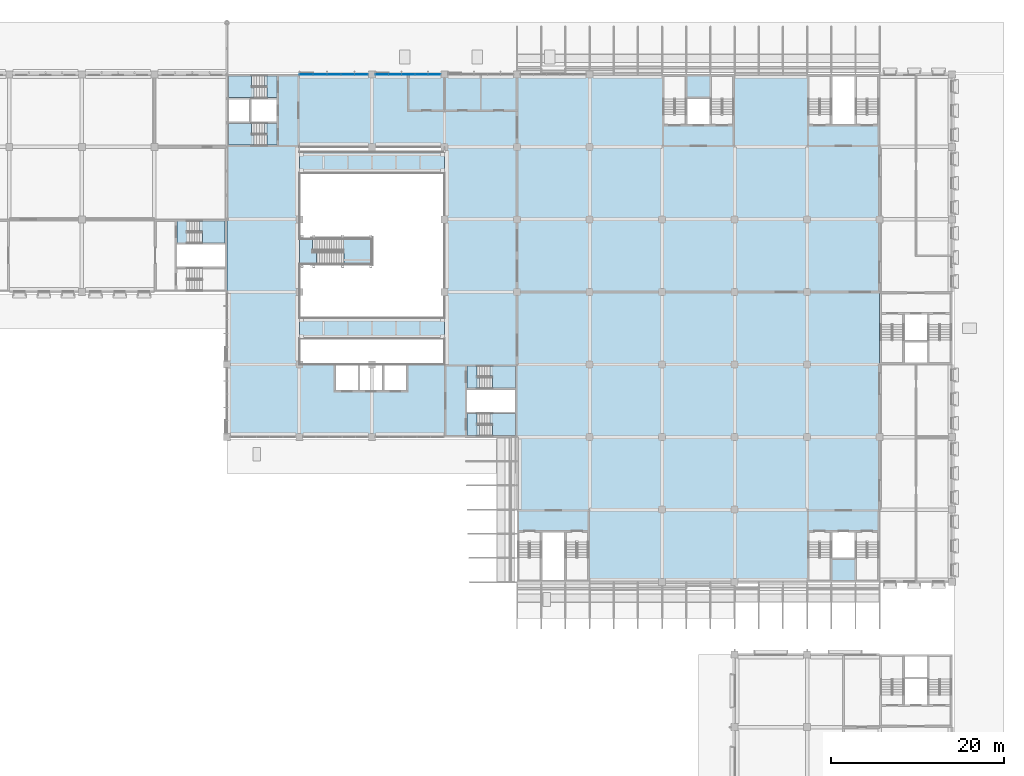
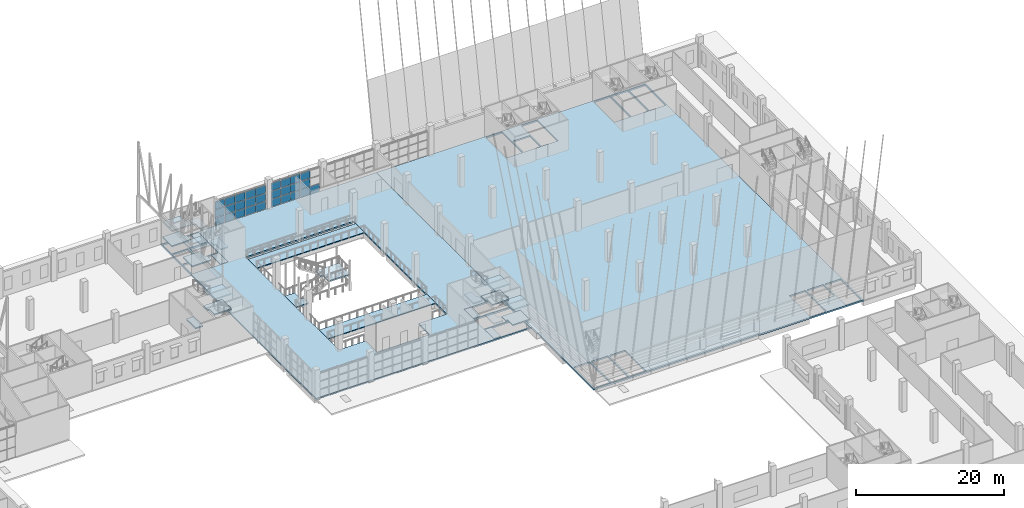
# One storey, part 23 of 101: 28 plates, 25 slabs, 8 elements without a shape of their own.
"""IFC4 building model written with IfcOpenShell, lengths in metres."""

from ifc_helpers import new_model, si_unit, direction, frame, origin, origin_2d, place, context, subcontext, project, spatial, polyline, rectangle, outline, extrude, material, layer, layer_set, type_object, element, aggregate, save


model = new_model("IFC4")

# Units and contexts
model_context = context("Model", 3, precision=1e-05, world=origin(), true_north=direction((0.0, 1.0)))
body_context = subcontext(model_context, "Body", "Model", "MODEL_VIEW")
ifc_project = project(units=[si_unit("LENGTHUNIT", "METRE"), si_unit("AREAUNIT", "SQUARE_METRE"), si_unit("VOLUMEUNIT", "CUBIC_METRE"), si_unit("PLANEANGLEUNIT", "RADIAN"), si_unit("MASSUNIT", "GRAM", prefix="KILO")], contexts=[model_context])

# Site, building, storey
site_placement = place(None, origin())
site = spatial("IfcSite", under=ifc_project, at=site_placement, CompositionType="ELEMENT")
building_placement = place(site_placement, origin())
building = spatial("IfcBuilding", under=site, at=building_placement, Name="Almond Square Museum", CompositionType="ELEMENT")
storey_placement = place(building_placement, frame((0.0, 0.0, 5.5)))
storey = spatial("IfcBuildingStorey", under=building, at=storey_placement, Name="L01", CompositionType="ELEMENT", Elevation=5.5)

# Slabs
ifc_material_1 = material(Name="Concrete C35/45", Category="concrete")
ifc_layer_1 = layer(ifc_material_1, 0.14990234375)
ifc_layer_set_1 = layer_set([ifc_layer_1], Name="Concrete C35/45")
slab_type_1 = type_object("IfcSlabType", Name="Bridge deck slab 150", PredefinedType="FLOOR", material=ifc_layer_set_1)
slab_1_placement = place(storey_placement, frame((0.0, 0.0, -0.14990234375)))
element("IfcSlab", 1, at=slab_1_placement, inside=storey, type_object=slab_type_1, Name="Bridge 1 deck", PredefinedType="FLOOR", context=body_context, shape_type="SweptSolid", body=[
    extrude(outline(polyline([(81.60009765625, 78.60009765625), (98.39990234375, 78.60009765625), (98.39990234375, 81.0), (81.60009765625, 81.0), (81.60009765625, 78.60009765625)])), origin(), (0.0, 0.0, 1.0), 0.14990234375),
])
slab_2_placement = place(storey_placement, frame((0.0, 0.0, -0.14990234375)))
element("IfcSlab", 2, at=slab_2_placement, inside=storey, type_object=slab_type_1, Name="Bridge 2 deck", PredefinedType="FLOOR", context=body_context, shape_type="SweptSolid", body=[
    extrude(outline(polyline([(81.60009765625, 97.800048828125), (98.39990234375, 97.800048828125), (98.39990234375, 100.199951171875), (81.60009765625, 100.199951171875), (81.60009765625, 97.800048828125)])), origin(), (0.0, 0.0, 1.0), 0.14990234375),
])

# Stair, slabs
ifc_material_2 = material(Name="Concrete C40/50", Category="concrete")
stair_type_1 = type_object("IfcStairType", Name="Exit stair 28 risers of 179 mm", PredefinedType="HALF_TURN_STAIR", material=ifc_material_2)
stair_1_placement = place(storey_placement, origin())
stair_1 = element("IfcStair", 3, at=stair_1_placement, inside=storey, type_object=stair_type_1, Name="L01 stair A1-1", PredefinedType="HALF_TURN_STAIR")
ifc_material_3 = material(Name="Concrete C40/50", Category="concrete")
ifc_layer_2 = layer(ifc_material_3, 0.199951171875)
ifc_layer_set_2 = layer_set([ifc_layer_2], Name="Concrete C40/50")
slab_type_2 = type_object("IfcSlabType", Name="Concrete stair landing 200", PredefinedType="LANDING", material=ifc_layer_set_2)
slab_3_placement = place(storey_placement, frame((0.0, 0.0, 1.050048828125)))
slab_3 = element("IfcSlab", 4, at=slab_3_placement, type_object=slab_type_2, Name="ST-09 landing 1", PredefinedType="LANDING", context=body_context, shape_type="SweptSolid", body=[
    extrude(outline(polyline([(76.052978515625, 103.5), (73.39990234375, 103.5), (73.39990234375, 101.0), (76.35009765625, 101.0), (76.35009765625, 102.14990234375), (76.052978515625, 102.14990234375), (76.052978515625, 103.5)])), origin(), (0.0, 0.0, 1.0), 0.199951171875),
])
slab_4_placement = place(storey_placement, frame((0.0, 0.0, 2.300048828125)))
slab_4 = element("IfcSlab", 5, at=slab_4_placement, type_object=slab_type_2, Name="ST-09 landing 2", PredefinedType="LANDING", context=body_context, shape_type="SweptSolid", body=[
    extrude(outline(polyline([(79.0, 103.5), (77.85009765625, 103.5), (77.550048828125, 103.5), (77.550048828125, 102.35009765625), (77.846923828125, 102.35009765625), (77.846923828125, 101.0), (79.0, 101.0), (79.0, 103.5)])), origin(), (0.0, 0.0, 1.0), 0.199951171875),
])
slab_5_placement = place(storey_placement, frame((0.0, 0.0, 3.550048828125)))
slab_5 = element("IfcSlab", 6, at=slab_5_placement, type_object=slab_type_2, Name="ST-09 landing 3", PredefinedType="LANDING", context=body_context, shape_type="SweptSolid", body=[
    extrude(outline(polyline([(76.052978515625, 103.5), (73.39990234375, 103.5), (73.39990234375, 101.0), (76.35009765625, 101.0), (76.35009765625, 102.14990234375), (76.052978515625, 102.14990234375), (76.052978515625, 103.5)])), origin(), (0.0, 0.0, 1.0), 0.199951171875),
])
aggregate(stair_1, [slab_3, slab_4, slab_5])

stair_2_placement = place(storey_placement, origin())
stair_2 = element("IfcStair", 7, at=stair_2_placement, inside=storey, type_object=stair_type_1, Name="L01 stair A1-2", PredefinedType="HALF_TURN_STAIR")
slab_6_placement = place(storey_placement, frame((0.0, 0.0, 1.050048828125)))
slab_6 = element("IfcSlab", 8, at=slab_6_placement, type_object=slab_type_2, Name="ST-10 landing 1", PredefinedType="LANDING", context=body_context, shape_type="SweptSolid", body=[
    extrude(outline(polyline([(76.052978515625, 109.0), (73.39990234375, 109.0), (73.39990234375, 106.5), (76.35009765625, 106.5), (76.35009765625, 107.64990234375), (76.052978515625, 107.64990234375), (76.052978515625, 109.0)])), origin(), (0.0, 0.0, 1.0), 0.199951171875),
])
slab_7_placement = place(storey_placement, frame((0.0, 0.0, 2.300048828125)))
slab_7 = element("IfcSlab", 9, at=slab_7_placement, type_object=slab_type_2, Name="ST-10 landing 2", PredefinedType="LANDING", context=body_context, shape_type="SweptSolid", body=[
    extrude(outline(polyline([(79.0, 109.0), (77.85009765625, 109.0), (77.550048828125, 109.0), (77.550048828125, 107.85009765625), (77.846923828125, 107.85009765625), (77.846923828125, 106.5), (79.0, 106.5), (79.0, 109.0)])), origin(), (0.0, 0.0, 1.0), 0.199951171875),
])
slab_8_placement = place(storey_placement, frame((0.0, 0.0, 3.550048828125)))
slab_8 = element("IfcSlab", 10, at=slab_8_placement, type_object=slab_type_2, Name="ST-10 landing 3", PredefinedType="LANDING", context=body_context, shape_type="SweptSolid", body=[
    extrude(outline(polyline([(76.052978515625, 109.0), (73.39990234375, 109.0), (73.39990234375, 106.5), (76.35009765625, 106.5), (76.35009765625, 107.64990234375), (76.052978515625, 107.64990234375), (76.052978515625, 109.0)])), origin(), (0.0, 0.0, 1.0), 0.199951171875),
])
aggregate(stair_2, [slab_6, slab_7, slab_8])

stair_3_placement = place(storey_placement, origin())
stair_3 = element("IfcStair", 11, at=stair_3_placement, inside=storey, type_object=stair_type_1, Name="L01 stair A2-1", PredefinedType="HALF_TURN_STAIR")
slab_9_placement = place(storey_placement, frame((0.0, 0.0, 1.050048828125)))
slab_9 = element("IfcSlab", 12, at=slab_9_placement, type_object=slab_type_2, Name="ST-11 landing 1", PredefinedType="LANDING", context=body_context, shape_type="SweptSolid", body=[
    extrude(outline(polyline([(103.947021484375, 67.39990234375), (106.60009765625, 67.39990234375), (106.60009765625, 69.89990234375), (103.64990234375, 69.89990234375), (103.64990234375, 68.75), (103.947021484375, 68.75), (103.947021484375, 67.39990234375)])), origin(), (0.0, 0.0, 1.0), 0.199951171875),
])
slab_10_placement = place(storey_placement, frame((0.0, 0.0, 2.300048828125)))
slab_10 = element("IfcSlab", 13, at=slab_10_placement, type_object=slab_type_2, Name="ST-11 landing 2", PredefinedType="LANDING", context=body_context, shape_type="SweptSolid", body=[
    extrude(outline(polyline([(101.0, 67.39990234375), (102.14990234375, 67.39990234375), (102.449951171875, 67.39990234375), (102.449951171875, 68.550048828125), (102.153076171875, 68.550048828125), (102.153076171875, 69.89990234375), (101.0, 69.89990234375), (101.0, 67.39990234375)])), origin(), (0.0, 0.0, 1.0), 0.199951171875),
])
slab_11_placement = place(storey_placement, frame((0.0, 0.0, 3.550048828125)))
slab_11 = element("IfcSlab", 14, at=slab_11_placement, type_object=slab_type_2, Name="ST-11 landing 3", PredefinedType="LANDING", context=body_context, shape_type="SweptSolid", body=[
    extrude(outline(polyline([(103.947021484375, 67.39990234375), (106.60009765625, 67.39990234375), (106.60009765625, 69.89990234375), (103.64990234375, 69.89990234375), (103.64990234375, 68.75), (103.947021484375, 68.75), (103.947021484375, 67.39990234375)])), origin(), (0.0, 0.0, 1.0), 0.199951171875),
])
aggregate(stair_3, [slab_9, slab_10, slab_11])

stair_4_placement = place(storey_placement, origin())
stair_4 = element("IfcStair", 15, at=stair_4_placement, inside=storey, type_object=stair_type_1, Name="L01 stair A2-2", PredefinedType="HALF_TURN_STAIR")
slab_12_placement = place(storey_placement, frame((0.0, 0.0, 1.050048828125)))
slab_12 = element("IfcSlab", 16, at=slab_12_placement, type_object=slab_type_2, Name="ST-12 landing 1", PredefinedType="LANDING", context=body_context, shape_type="SweptSolid", body=[
    extrude(outline(polyline([(103.947021484375, 72.89990234375), (106.60009765625, 72.89990234375), (106.60009765625, 75.39990234375), (103.64990234375, 75.39990234375), (103.64990234375, 74.25), (103.947021484375, 74.25), (103.947021484375, 72.89990234375)])), origin(), (0.0, 0.0, 1.0), 0.199951171875),
])
slab_13_placement = place(storey_placement, frame((0.0, 0.0, 2.300048828125)))
slab_13 = element("IfcSlab", 17, at=slab_13_placement, type_object=slab_type_2, Name="ST-12 landing 2", PredefinedType="LANDING", context=body_context, shape_type="SweptSolid", body=[
    extrude(outline(polyline([(101.0, 72.89990234375), (102.14990234375, 72.89990234375), (102.449951171875, 72.89990234375), (102.449951171875, 74.050048828125), (102.153076171875, 74.050048828125), (102.153076171875, 75.39990234375), (101.0, 75.39990234375), (101.0, 72.89990234375)])), origin(), (0.0, 0.0, 1.0), 0.199951171875),
])
slab_14_placement = place(storey_placement, frame((0.0, 0.0, 3.550048828125)))
slab_14 = element("IfcSlab", 18, at=slab_14_placement, type_object=slab_type_2, Name="ST-12 landing 3", PredefinedType="LANDING", context=body_context, shape_type="SweptSolid", body=[
    extrude(outline(polyline([(103.947021484375, 72.89990234375), (106.60009765625, 72.89990234375), (106.60009765625, 75.39990234375), (103.64990234375, 75.39990234375), (103.64990234375, 74.25), (103.947021484375, 74.25), (103.947021484375, 72.89990234375)])), origin(), (0.0, 0.0, 1.0), 0.199951171875),
])
aggregate(stair_4, [slab_12, slab_13, slab_14])

stair_5_placement = place(storey_placement, origin())
stair_5 = element("IfcStair", 19, at=stair_5_placement, inside=storey, type_object=stair_type_1, Name="L01 stair N2-2", PredefinedType="HALF_TURN_STAIR")
slab_15_placement = place(storey_placement, frame((0.0, 0.0, 1.050048828125)))
slab_15 = element("IfcSlab", 20, at=slab_15_placement, type_object=slab_type_2, Name="ST-20 landing 1", PredefinedType="LANDING", context=body_context, shape_type="SweptSolid", body=[
    extrude(outline(polyline([(70.346923828125, 89.699951171875), (73.0, 89.699951171875), (73.0, 92.199951171875), (70.050048828125, 92.199951171875), (70.050048828125, 91.050048828125), (70.346923828125, 91.050048828125), (70.346923828125, 89.699951171875)])), origin(), (0.0, 0.0, 1.0), 0.199951171875),
])
slab_16_placement = place(storey_placement, frame((0.0, 0.0, 3.550048828125)))
slab_16 = element("IfcSlab", 21, at=slab_16_placement, type_object=slab_type_2, Name="ST-20 landing 3", PredefinedType="LANDING", context=body_context, shape_type="SweptSolid", body=[
    extrude(outline(polyline([(70.346923828125, 89.699951171875), (73.0, 89.699951171875), (73.0, 92.199951171875), (70.050048828125, 92.199951171875), (70.050048828125, 91.050048828125), (70.346923828125, 91.050048828125), (70.346923828125, 89.699951171875)])), origin(), (0.0, 0.0, 1.0), 0.199951171875),
])
aggregate(stair_5, [slab_15, slab_16])

# Slabs
slab_17_placement = place(storey_placement, frame((0.0, 0.0, -0.199951171875)))
element("IfcSlab", 22, at=slab_17_placement, inside=storey, type_object=slab_type_2, Name="L01 stair A1-1 floor landing", PredefinedType="LANDING", context=body_context, shape_type="SweptSolid", body=[
    extrude(outline(polyline([(77.846923828125, 101.0), (79.0, 101.0), (79.0, 103.5), (77.846923828125, 103.5), (77.846923828125, 101.0)])), origin(), (0.0, 0.0, 1.0), 0.199951171875),
])
slab_18_placement = place(storey_placement, frame((0.0, 0.0, -0.199951171875)))
element("IfcSlab", 23, at=slab_18_placement, inside=storey, type_object=slab_type_2, Name="L01 stair A1-2 floor landing", PredefinedType="LANDING", context=body_context, shape_type="SweptSolid", body=[
    extrude(outline(polyline([(77.846923828125, 106.5), (79.0, 106.5), (79.0, 109.0), (77.846923828125, 109.0), (77.846923828125, 106.5)])), origin(), (0.0, 0.0, 1.0), 0.199951171875),
])
slab_19_placement = place(storey_placement, frame((0.0, 0.0, -0.199951171875)))
element("IfcSlab", 24, at=slab_19_placement, inside=storey, type_object=slab_type_2, Name="L01 stair A2-1 floor landing", PredefinedType="LANDING", context=body_context, shape_type="SweptSolid", body=[
    extrude(outline(polyline([(101.0, 67.39990234375), (102.153076171875, 67.39990234375), (102.153076171875, 69.89990234375), (101.0, 69.89990234375), (101.0, 67.39990234375)])), origin(), (0.0, 0.0, 1.0), 0.199951171875),
])
slab_20_placement = place(storey_placement, frame((0.0, 0.0, -0.199951171875)))
element("IfcSlab", 25, at=slab_20_placement, inside=storey, type_object=slab_type_2, Name="L01 stair A2-2 floor landing", PredefinedType="LANDING", context=body_context, shape_type="SweptSolid", body=[
    extrude(outline(polyline([(101.0, 72.89990234375), (102.153076171875, 72.89990234375), (102.153076171875, 75.39990234375), (101.0, 75.39990234375), (101.0, 72.89990234375)])), origin(), (0.0, 0.0, 1.0), 0.199951171875),
])
slab_21_placement = place(storey_placement, frame((0.0, 0.0, -0.199951171875)))
element("IfcSlab", 26, at=slab_21_placement, inside=storey, type_object=slab_type_2, Name="L01 stair N2-2 floor landing", PredefinedType="LANDING", context=body_context, shape_type="SweptSolid", body=[
    extrude(outline(polyline([(67.39990234375, 89.699951171875), (68.552978515625, 89.699951171875), (68.552978515625, 92.199951171875), (67.39990234375, 92.199951171875), (67.39990234375, 89.699951171875)])), origin(), (0.0, 0.0, 1.0), 0.199951171875),
])

# Stair, slab
ifc_material_4 = material(Name="Concrete C40/50", Category="concrete")
stair_type_2 = type_object("IfcStairType", Name="Feature stair 1400 open flights", PredefinedType="HALF_TURN_STAIR", material=ifc_material_4)
stair_6_placement = place(storey_placement, origin())
stair_6 = element("IfcStair", 27, at=stair_6_placement, inside=storey, type_object=stair_type_2, Name="L01 atrium feature stair", PredefinedType="HALF_TURN_STAIR")
ifc_material_5 = material(Name="Concrete C40/50", Category="concrete")
ifc_layer_3 = layer(ifc_material_5, 0.199951171875)
ifc_layer_set_3 = layer_set([ifc_layer_3], Name="Concrete C40/50")
slab_type_3 = type_object("IfcSlabType", Name="Feature stair landing 200", PredefinedType="LANDING", material=ifc_layer_set_3)
slab_22_placement = place(storey_placement, frame((0.0, 0.0, 2.300048828125)))
slab_22 = element("IfcSlab", 28, at=slab_22_placement, type_object=slab_type_3, Name="ST-F landing 1", PredefinedType="LANDING", context=body_context, shape_type="SweptSolid", body=[
    extrude(outline(polyline([(86.737060546875, 87.199951171875), (90.0, 87.199951171875), (90.0, 90.199951171875), (86.344970703125, 90.199951171875), (86.344970703125, 88.800048828125), (86.737060546875, 88.800048828125), (86.737060546875, 87.199951171875)])), origin(), (0.0, 0.0, 1.0), 0.199951171875),
])
aggregate(stair_6, [slab_22])

# Slab
slab_23_placement = place(storey_placement, frame((0.0, 0.0, -0.199951171875)))
element("IfcSlab", 29, at=slab_23_placement, inside=storey, type_object=slab_type_3, Name="L01 atrium feature stair floor landing", PredefinedType="LANDING", context=body_context, shape_type="SweptSolid", body=[
    extrude(outline(polyline([(81.60009765625, 87.199951171875), (83.56494140625, 87.199951171875), (83.56494140625, 88.60009765625), (83.10302734375, 88.60009765625), (83.10302734375, 90.199951171875), (81.60009765625, 90.199951171875), (81.60009765625, 87.199951171875)])), origin(), (0.0, 0.0, 1.0), 0.199951171875),
])

# Curtain wall, plates
ifc_material_6 = material(Name="Aluminium and laminated glass", Category="aluminium")
curtain_wall_type = type_object("IfcCurtainWallType", Name="Unitised curtain wall 1500 module", PredefinedType="NOTDEFINED", material=ifc_material_6)
curtain_wall_1_placement = place(storey_placement, origin())
curtain_wall_1 = element("IfcCurtainWall", 30, at=curtain_wall_1_placement, inside=storey, type_object=curtain_wall_type, Name="Curtain wall CW-09", PredefinedType="NOTDEFINED")
ifc_material_7 = material(Name="Laminated hurricane-rated glass", Category="glass")
ifc_layer_4 = layer(ifc_material_7, 0.035888671875)
ifc_layer_set_4 = layer_set([ifc_layer_4], Name="Laminated hurricane-rated glass")
plate_type = type_object("IfcPlateType", Name="Laminated glass panel 36", PredefinedType="CURTAIN_PANEL", material=ifc_layer_set_4)
plate_1_placement = place(storey_placement, frame((91.175048828125, 109.199951171875, 0.06005859375), z_axis=(0.0, 0.0, 1.0), x_axis=(1.0, 0.0, 0.0)))
plate_1 = element("IfcPlate", 31, at=plate_1_placement, type_object=plate_type, Name="CW-09 panel 1.1", PredefinedType="CURTAIN_PANEL", context=body_context, shape_type="SweptSolid", body=[
    extrude(rectangle(XDim=1.429931640625, YDim=0.035888671875, at=origin_2d()), origin(), (0.0, 0.0, 1.0), 1.260009765625),
])
plate_2_placement = place(storey_placement, frame((91.175048828125, 109.199951171875, 1.3798828125), z_axis=(0.0, 0.0, 1.0), x_axis=(1.0, 0.0, 0.0)))
plate_2 = element("IfcPlate", 32, at=plate_2_placement, type_object=plate_type, Name="CW-09 panel 1.2", PredefinedType="CURTAIN_PANEL", context=body_context, shape_type="SweptSolid", body=[
    extrude(rectangle(XDim=1.429931640625, YDim=0.035888671875, at=origin_2d()), origin(), (0.0, 0.0, 1.0), 1.2900390625),
])
plate_3_placement = place(storey_placement, frame((91.175048828125, 109.199951171875, 2.72998046875), z_axis=(0.0, 0.0, 1.0), x_axis=(1.0, 0.0, 0.0)))
plate_3 = element("IfcPlate", 33, at=plate_3_placement, type_object=plate_type, Name="CW-09 panel 1.3", PredefinedType="CURTAIN_PANEL", context=body_context, shape_type="SweptSolid", body=[
    extrude(rectangle(XDim=1.429931640625, YDim=0.035888671875, at=origin_2d()), origin(), (0.0, 0.0, 1.0), 1.260009765625),
])
plate_4_placement = place(storey_placement, frame((92.679931640625, 109.199951171875, 0.06005859375), z_axis=(0.0, 0.0, 1.0), x_axis=(1.0, 0.0, 0.0)))
plate_4 = element("IfcPlate", 34, at=plate_4_placement, type_object=plate_type, Name="CW-09 panel 2.1", PredefinedType="CURTAIN_PANEL", context=body_context, shape_type="SweptSolid", body=[
    extrude(rectangle(XDim=1.4599609375, YDim=0.035888671875, at=origin_2d()), origin(), (0.0, 0.0, 1.0), 1.260009765625),
])
plate_5_placement = place(storey_placement, frame((92.679931640625, 109.199951171875, 1.3798828125), z_axis=(0.0, 0.0, 1.0), x_axis=(1.0, 0.0, 0.0)))
plate_5 = element("IfcPlate", 35, at=plate_5_placement, type_object=plate_type, Name="CW-09 panel 2.2", PredefinedType="CURTAIN_PANEL", context=body_context, shape_type="SweptSolid", body=[
    extrude(rectangle(XDim=1.4599609375, YDim=0.035888671875, at=origin_2d()), origin(), (0.0, 0.0, 1.0), 1.2900390625),
])
plate_6_placement = place(storey_placement, frame((92.679931640625, 109.199951171875, 2.72998046875), z_axis=(0.0, 0.0, 1.0), x_axis=(1.0, 0.0, 0.0)))
plate_6 = element("IfcPlate", 36, at=plate_6_placement, type_object=plate_type, Name="CW-09 panel 2.3", PredefinedType="CURTAIN_PANEL", context=body_context, shape_type="SweptSolid", body=[
    extrude(rectangle(XDim=1.4599609375, YDim=0.035888671875, at=origin_2d()), origin(), (0.0, 0.0, 1.0), 1.260009765625),
])
plate_7_placement = place(storey_placement, frame((94.199951171875, 109.199951171875, 0.06005859375), z_axis=(0.0, 0.0, 1.0), x_axis=(1.0, 0.0, 0.0)))
plate_7 = element("IfcPlate", 37, at=plate_7_placement, type_object=plate_type, Name="CW-09 panel 3.1", PredefinedType="CURTAIN_PANEL", context=body_context, shape_type="SweptSolid", body=[
    extrude(rectangle(XDim=1.4599609375, YDim=0.035888671875, at=origin_2d()), origin(), (0.0, 0.0, 1.0), 1.260009765625),
])
plate_8_placement = place(storey_placement, frame((94.199951171875, 109.199951171875, 1.3798828125), z_axis=(0.0, 0.0, 1.0), x_axis=(1.0, 0.0, 0.0)))
plate_8 = element("IfcPlate", 38, at=plate_8_placement, type_object=plate_type, Name="CW-09 panel 3.2", PredefinedType="CURTAIN_PANEL", context=body_context, shape_type="SweptSolid", body=[
    extrude(rectangle(XDim=1.4599609375, YDim=0.035888671875, at=origin_2d()), origin(), (0.0, 0.0, 1.0), 1.2900390625),
])
plate_9_placement = place(storey_placement, frame((94.199951171875, 109.199951171875, 2.72998046875), z_axis=(0.0, 0.0, 1.0), x_axis=(1.0, 0.0, 0.0)))
plate_9 = element("IfcPlate", 39, at=plate_9_placement, type_object=plate_type, Name="CW-09 panel 3.3", PredefinedType="CURTAIN_PANEL", context=body_context, shape_type="SweptSolid", body=[
    extrude(rectangle(XDim=1.4599609375, YDim=0.035888671875, at=origin_2d()), origin(), (0.0, 0.0, 1.0), 1.260009765625),
])
plate_10_placement = place(storey_placement, frame((95.719970703125, 109.199951171875, 0.06005859375), z_axis=(0.0, 0.0, 1.0), x_axis=(1.0, 0.0, 0.0)))
plate_10 = element("IfcPlate", 40, at=plate_10_placement, type_object=plate_type, Name="CW-09 panel 4.1", PredefinedType="CURTAIN_PANEL", context=body_context, shape_type="SweptSolid", body=[
    extrude(rectangle(XDim=1.4599609375, YDim=0.035888671875, at=origin_2d()), origin(), (0.0, 0.0, 1.0), 1.260009765625),
])
plate_11_placement = place(storey_placement, frame((95.719970703125, 109.199951171875, 1.3798828125), z_axis=(0.0, 0.0, 1.0), x_axis=(1.0, 0.0, 0.0)))
plate_11 = element("IfcPlate", 41, at=plate_11_placement, type_object=plate_type, Name="CW-09 panel 4.2", PredefinedType="CURTAIN_PANEL", context=body_context, shape_type="SweptSolid", body=[
    extrude(rectangle(XDim=1.4599609375, YDim=0.035888671875, at=origin_2d()), origin(), (0.0, 0.0, 1.0), 1.2900390625),
])
plate_12_placement = place(storey_placement, frame((95.719970703125, 109.199951171875, 2.72998046875), z_axis=(0.0, 0.0, 1.0), x_axis=(1.0, 0.0, 0.0)))
plate_12 = element("IfcPlate", 42, at=plate_12_placement, type_object=plate_type, Name="CW-09 panel 4.3", PredefinedType="CURTAIN_PANEL", context=body_context, shape_type="SweptSolid", body=[
    extrude(rectangle(XDim=1.4599609375, YDim=0.035888671875, at=origin_2d()), origin(), (0.0, 0.0, 1.0), 1.260009765625),
])
plate_13_placement = place(storey_placement, frame((97.22509765625, 109.199951171875, 0.06005859375), z_axis=(0.0, 0.0, 1.0), x_axis=(1.0, 0.0, 0.0)))
plate_13 = element("IfcPlate", 43, at=plate_13_placement, type_object=plate_type, Name="CW-09 panel 5.1", PredefinedType="CURTAIN_PANEL", context=body_context, shape_type="SweptSolid", body=[
    extrude(rectangle(XDim=1.429931640625, YDim=0.035888671875, at=origin_2d()), origin(), (0.0, 0.0, 1.0), 1.260009765625),
])
aggregate(curtain_wall_1, [plate_1, plate_2, plate_3, plate_4, plate_5, plate_6, plate_7, plate_8, plate_9, plate_10, plate_11, plate_12, plate_13])

curtain_wall_2_placement = place(storey_placement, origin())
curtain_wall_2 = element("IfcCurtainWall", 44, at=curtain_wall_2_placement, inside=storey, type_object=curtain_wall_type, Name="Curtain wall CW-10", PredefinedType="NOTDEFINED")
plate_14_placement = place(storey_placement, frame((82.4150390625, 109.199951171875, 0.06005859375), z_axis=(0.0, 0.0, 1.0), x_axis=(1.0, 0.0, 0.0)))
plate_14 = element("IfcPlate", 45, at=plate_14_placement, type_object=plate_type, Name="CW-10 panel 1.1", PredefinedType="CURTAIN_PANEL", context=body_context, shape_type="SweptSolid", body=[
    extrude(rectangle(XDim=1.510009765625, YDim=0.035888671875, at=origin_2d()), origin(), (0.0, 0.0, 1.0), 1.260009765625),
])
plate_15_placement = place(storey_placement, frame((82.4150390625, 109.199951171875, 1.3798828125), z_axis=(0.0, 0.0, 1.0), x_axis=(1.0, 0.0, 0.0)))
plate_15 = element("IfcPlate", 46, at=plate_15_placement, type_object=plate_type, Name="CW-10 panel 1.2", PredefinedType="CURTAIN_PANEL", context=body_context, shape_type="SweptSolid", body=[
    extrude(rectangle(XDim=1.510009765625, YDim=0.035888671875, at=origin_2d()), origin(), (0.0, 0.0, 1.0), 1.2900390625),
])
plate_16_placement = place(storey_placement, frame((82.4150390625, 109.199951171875, 2.72998046875), z_axis=(0.0, 0.0, 1.0), x_axis=(1.0, 0.0, 0.0)))
plate_16 = element("IfcPlate", 47, at=plate_16_placement, type_object=plate_type, Name="CW-10 panel 1.3", PredefinedType="CURTAIN_PANEL", context=body_context, shape_type="SweptSolid", body=[
    extrude(rectangle(XDim=1.510009765625, YDim=0.035888671875, at=origin_2d()), origin(), (0.0, 0.0, 1.0), 1.260009765625),
])
plate_17_placement = place(storey_placement, frame((84.0, 109.199951171875, 0.06005859375), z_axis=(0.0, 0.0, 1.0), x_axis=(1.0, 0.0, 0.0)))
plate_17 = element("IfcPlate", 48, at=plate_17_placement, type_object=plate_type, Name="CW-10 panel 2.1", PredefinedType="CURTAIN_PANEL", context=body_context, shape_type="SweptSolid", body=[
    extrude(rectangle(XDim=1.5400390625, YDim=0.035888671875, at=origin_2d()), origin(), (0.0, 0.0, 1.0), 1.260009765625),
])
plate_18_placement = place(storey_placement, frame((84.0, 109.199951171875, 1.3798828125), z_axis=(0.0, 0.0, 1.0), x_axis=(1.0, 0.0, 0.0)))
plate_18 = element("IfcPlate", 49, at=plate_18_placement, type_object=plate_type, Name="CW-10 panel 2.2", PredefinedType="CURTAIN_PANEL", context=body_context, shape_type="SweptSolid", body=[
    extrude(rectangle(XDim=1.5400390625, YDim=0.035888671875, at=origin_2d()), origin(), (0.0, 0.0, 1.0), 1.2900390625),
])
plate_19_placement = place(storey_placement, frame((84.0, 109.199951171875, 2.72998046875), z_axis=(0.0, 0.0, 1.0), x_axis=(1.0, 0.0, 0.0)))
plate_19 = element("IfcPlate", 50, at=plate_19_placement, type_object=plate_type, Name="CW-10 panel 2.3", PredefinedType="CURTAIN_PANEL", context=body_context, shape_type="SweptSolid", body=[
    extrude(rectangle(XDim=1.5400390625, YDim=0.035888671875, at=origin_2d()), origin(), (0.0, 0.0, 1.0), 1.260009765625),
])
plate_20_placement = place(storey_placement, frame((85.60009765625, 109.199951171875, 0.06005859375), z_axis=(0.0, 0.0, 1.0), x_axis=(1.0, 0.0, 0.0)))
plate_20 = element("IfcPlate", 51, at=plate_20_placement, type_object=plate_type, Name="CW-10 panel 3.1", PredefinedType="CURTAIN_PANEL", context=body_context, shape_type="SweptSolid", body=[
    extrude(rectangle(XDim=1.5400390625, YDim=0.035888671875, at=origin_2d()), origin(), (0.0, 0.0, 1.0), 1.260009765625),
])
plate_21_placement = place(storey_placement, frame((85.60009765625, 109.199951171875, 1.3798828125), z_axis=(0.0, 0.0, 1.0), x_axis=(1.0, 0.0, 0.0)))
plate_21 = element("IfcPlate", 52, at=plate_21_placement, type_object=plate_type, Name="CW-10 panel 3.2", PredefinedType="CURTAIN_PANEL", context=body_context, shape_type="SweptSolid", body=[
    extrude(rectangle(XDim=1.5400390625, YDim=0.035888671875, at=origin_2d()), origin(), (0.0, 0.0, 1.0), 1.2900390625),
])
plate_22_placement = place(storey_placement, frame((85.60009765625, 109.199951171875, 2.72998046875), z_axis=(0.0, 0.0, 1.0), x_axis=(1.0, 0.0, 0.0)))
plate_22 = element("IfcPlate", 53, at=plate_22_placement, type_object=plate_type, Name="CW-10 panel 3.3", PredefinedType="CURTAIN_PANEL", context=body_context, shape_type="SweptSolid", body=[
    extrude(rectangle(XDim=1.5400390625, YDim=0.035888671875, at=origin_2d()), origin(), (0.0, 0.0, 1.0), 1.260009765625),
])
plate_23_placement = place(storey_placement, frame((87.199951171875, 109.199951171875, 0.06005859375), z_axis=(0.0, 0.0, 1.0), x_axis=(1.0, 0.0, 0.0)))
plate_23 = element("IfcPlate", 54, at=plate_23_placement, type_object=plate_type, Name="CW-10 panel 4.1", PredefinedType="CURTAIN_PANEL", context=body_context, shape_type="SweptSolid", body=[
    extrude(rectangle(XDim=1.5400390625, YDim=0.035888671875, at=origin_2d()), origin(), (0.0, 0.0, 1.0), 1.260009765625),
])
plate_24_placement = place(storey_placement, frame((87.199951171875, 109.199951171875, 1.3798828125), z_axis=(0.0, 0.0, 1.0), x_axis=(1.0, 0.0, 0.0)))
plate_24 = element("IfcPlate", 55, at=plate_24_placement, type_object=plate_type, Name="CW-10 panel 4.2", PredefinedType="CURTAIN_PANEL", context=body_context, shape_type="SweptSolid", body=[
    extrude(rectangle(XDim=1.5400390625, YDim=0.035888671875, at=origin_2d()), origin(), (0.0, 0.0, 1.0), 1.2900390625),
])
plate_25_placement = place(storey_placement, frame((87.199951171875, 109.199951171875, 2.72998046875), z_axis=(0.0, 0.0, 1.0), x_axis=(1.0, 0.0, 0.0)))
plate_25 = element("IfcPlate", 56, at=plate_25_placement, type_object=plate_type, Name="CW-10 panel 4.3", PredefinedType="CURTAIN_PANEL", context=body_context, shape_type="SweptSolid", body=[
    extrude(rectangle(XDim=1.5400390625, YDim=0.035888671875, at=origin_2d()), origin(), (0.0, 0.0, 1.0), 1.260009765625),
])
plate_26_placement = place(storey_placement, frame((88.784912109375, 109.199951171875, 0.06005859375), z_axis=(0.0, 0.0, 1.0), x_axis=(1.0, 0.0, 0.0)))
plate_26 = element("IfcPlate", 57, at=plate_26_placement, type_object=plate_type, Name="CW-10 panel 5.1", PredefinedType="CURTAIN_PANEL", context=body_context, shape_type="SweptSolid", body=[
    extrude(rectangle(XDim=1.510009765625, YDim=0.035888671875, at=origin_2d()), origin(), (0.0, 0.0, 1.0), 1.260009765625),
])
plate_27_placement = place(storey_placement, frame((88.784912109375, 109.199951171875, 1.3798828125), z_axis=(0.0, 0.0, 1.0), x_axis=(1.0, 0.0, 0.0)))
plate_27 = element("IfcPlate", 58, at=plate_27_placement, type_object=plate_type, Name="CW-10 panel 5.2", PredefinedType="CURTAIN_PANEL", context=body_context, shape_type="SweptSolid", body=[
    extrude(rectangle(XDim=1.510009765625, YDim=0.035888671875, at=origin_2d()), origin(), (0.0, 0.0, 1.0), 1.2900390625),
])
plate_28_placement = place(storey_placement, frame((88.784912109375, 109.199951171875, 2.72998046875), z_axis=(0.0, 0.0, 1.0), x_axis=(1.0, 0.0, 0.0)))
plate_28 = element("IfcPlate", 59, at=plate_28_placement, type_object=plate_type, Name="CW-10 panel 5.3", PredefinedType="CURTAIN_PANEL", context=body_context, shape_type="SweptSolid", body=[
    extrude(rectangle(XDim=1.510009765625, YDim=0.035888671875, at=origin_2d()), origin(), (0.0, 0.0, 1.0), 1.260009765625),
])
aggregate(curtain_wall_2, [plate_14, plate_15, plate_16, plate_17, plate_18, plate_19, plate_20, plate_21, plate_22, plate_23, plate_24, plate_25, plate_26, plate_27, plate_28])

# Slabs
ifc_material_8 = material(Name="Concrete C40/50", Category="concrete")
ifc_layer_5 = layer(ifc_material_8, 0.25)
ifc_layer_set_5 = layer_set([ifc_layer_5], Name="Concrete C40/50")
slab_type_4 = type_object("IfcSlabType", Name="RC floor slab 250 C40/50", PredefinedType="FLOOR", material=ifc_layer_set_5)
slab_24_placement = place(storey_placement, frame((0.0, 0.0, -0.25)))
element("IfcSlab", 60, at=slab_24_placement, inside=storey, type_object=slab_type_4, Name="Floor slab L01 V1", PredefinedType="FLOOR", context=body_context, shape_type="SweptSolid", body=[
    extrude(outline(polyline([(148.800048828125, 50.39990234375), (106.800048828125, 50.39990234375), (106.800048828125, 67.199951171875), (106.800048828125, 109.199951171875), (148.800048828125, 109.199951171875), (148.800048828125, 50.39990234375)]), holes=[polyline([(107.0, 50.60009765625), (109.5, 50.60009765625), (109.5, 56.199951171875), (107.0, 56.199951171875), (107.0, 50.60009765625)]), polyline([(109.699951171875, 50.60009765625), (112.300048828125, 50.60009765625), (112.300048828125, 56.199951171875), (109.699951171875, 56.199951171875), (109.699951171875, 50.60009765625)]), polyline([(112.5, 50.60009765625), (115.0, 50.60009765625), (115.0, 56.199951171875), (112.5, 56.199951171875), (112.5, 50.60009765625)]), polyline([(123.800048828125, 103.39990234375), (126.300048828125, 103.39990234375), (126.300048828125, 109.0), (123.800048828125, 109.0), (123.800048828125, 103.39990234375)]), polyline([(140.60009765625, 50.60009765625), (143.10009765625, 50.60009765625), (143.10009765625, 56.199951171875), (140.60009765625, 56.199951171875), (140.60009765625, 50.60009765625)]), polyline([(146.10009765625, 50.60009765625), (148.60009765625, 50.60009765625), (148.60009765625, 56.199951171875), (146.10009765625, 56.199951171875), (146.10009765625, 50.60009765625)]), polyline([(143.300048828125, 53.199951171875), (145.89990234375, 53.199951171875), (145.89990234375, 56.199951171875), (143.300048828125, 56.199951171875), (143.300048828125, 53.199951171875)]), polyline([(126.5, 103.39990234375), (129.10009765625, 103.39990234375), (129.10009765625, 106.39990234375), (126.5, 106.39990234375), (126.5, 103.39990234375)]), polyline([(146.10009765625, 103.39990234375), (148.60009765625, 103.39990234375), (148.60009765625, 109.0), (146.10009765625, 109.0), (146.10009765625, 103.39990234375)]), polyline([(143.300048828125, 103.39990234375), (145.89990234375, 103.39990234375), (145.89990234375, 109.0), (143.300048828125, 109.0), (143.300048828125, 103.39990234375)]), polyline([(140.60009765625, 103.39990234375), (143.10009765625, 103.39990234375), (143.10009765625, 109.0), (140.60009765625, 109.0), (140.60009765625, 103.39990234375)]), polyline([(129.300048828125, 103.39990234375), (131.800048828125, 103.39990234375), (131.800048828125, 109.0), (129.300048828125, 109.0), (129.300048828125, 103.39990234375)])]), origin(), (0.0, 0.0, 1.0), 0.25),
])
slab_25_placement = place(storey_placement, frame((0.0, 0.0, -0.25)))
element("IfcSlab", 61, at=slab_25_placement, inside=storey, type_object=slab_type_4, Name="Floor slab L01 V2", PredefinedType="FLOOR", context=body_context, shape_type="SweptSolid", body=[
    extrude(outline(polyline([(73.199951171875, 67.199951171875), (73.199951171875, 84.0), (73.199951171875, 109.199951171875), (106.800048828125, 109.199951171875), (106.800048828125, 67.199951171875), (73.199951171875, 67.199951171875)]), holes=[polyline([(81.60009765625, 75.60009765625), (85.800048828125, 75.60009765625), (85.800048828125, 72.60009765625), (94.0, 72.60009765625), (94.0, 75.60009765625), (98.39990234375, 75.60009765625), (98.39990234375, 100.800048828125), (81.60009765625, 100.800048828125), (81.60009765625, 75.60009765625)]), polyline([(101.0, 67.39990234375), (106.60009765625, 67.39990234375), (106.60009765625, 69.89990234375), (101.0, 69.89990234375), (101.0, 67.39990234375)]), polyline([(106.60009765625, 70.10009765625), (106.60009765625, 72.699951171875), (101.0, 72.699951171875), (101.0, 70.10009765625), (106.60009765625, 70.10009765625)]), polyline([(101.0, 72.89990234375), (106.60009765625, 72.89990234375), (106.60009765625, 75.39990234375), (101.0, 75.39990234375), (101.0, 72.89990234375)]), polyline([(73.39990234375, 101.0), (79.0, 101.0), (79.0, 103.5), (73.39990234375, 103.5), (73.39990234375, 101.0)]), polyline([(76.0, 103.699951171875), (79.0, 103.699951171875), (79.0, 106.300048828125), (76.0, 106.300048828125), (76.0, 103.699951171875)]), polyline([(73.39990234375, 103.699951171875), (75.800048828125, 103.699951171875), (75.800048828125, 106.300048828125), (73.39990234375, 106.300048828125), (73.39990234375, 103.699951171875)]), polyline([(73.39990234375, 106.5), (79.0, 106.5), (79.0, 109.0), (73.39990234375, 109.0), (73.39990234375, 106.5)])]), origin(), (0.0, 0.0, 1.0), 0.25),
])

save(model, "model.ifc")
